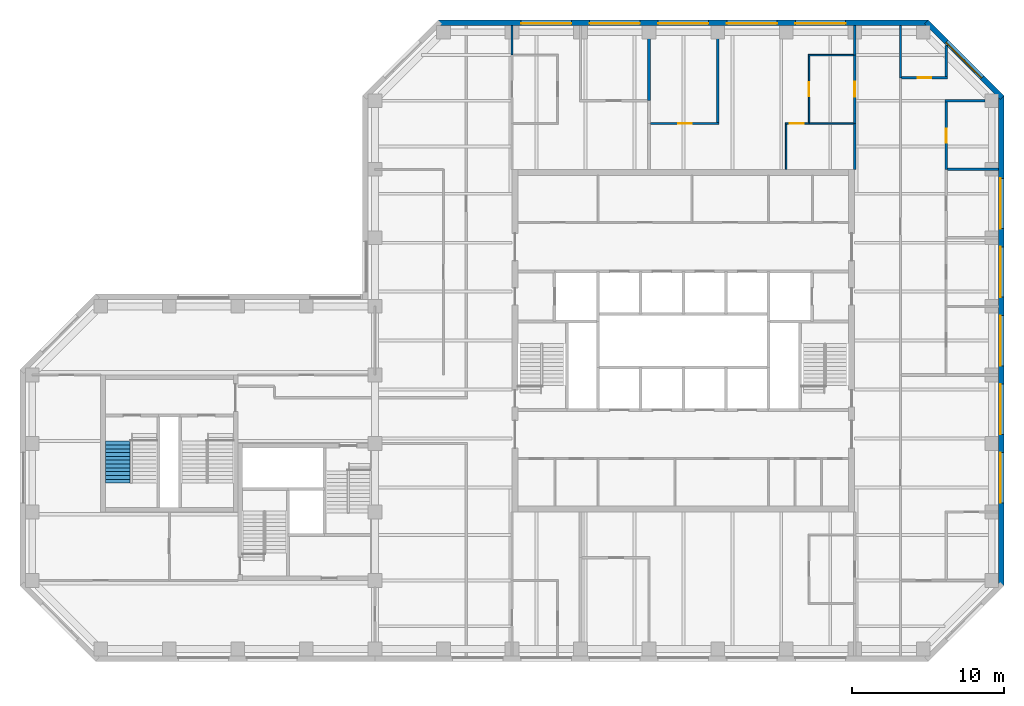
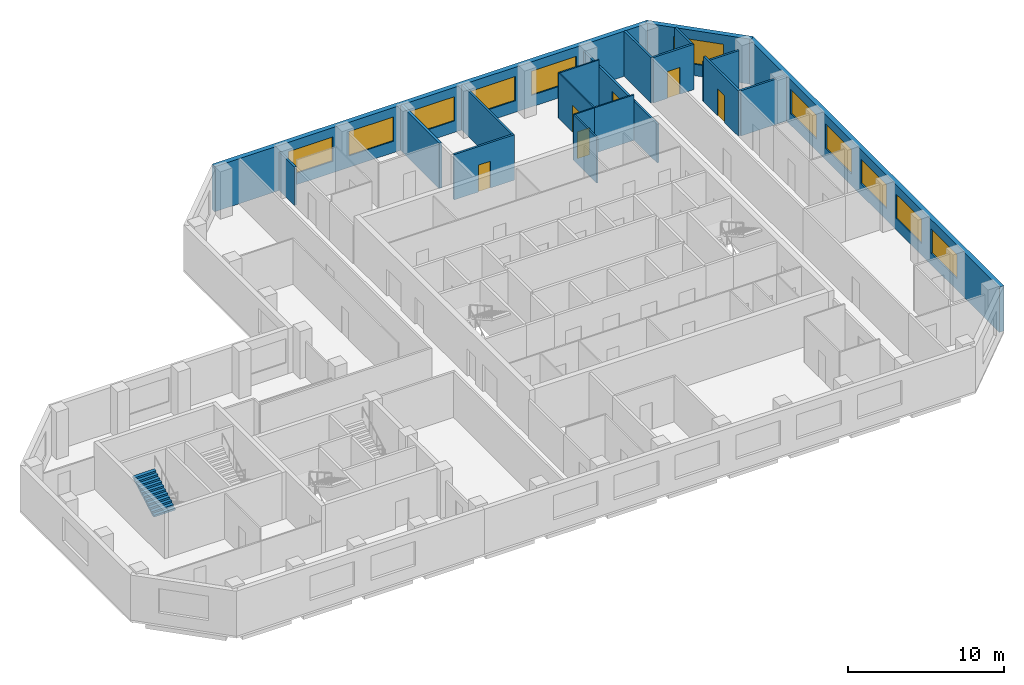
# One storey, part 7 of 9: 21 walls, 11 windows, 6 doors, 1 stair flight, 17 openings, 1 element without a shape of its own.
"""IFC4 building model written with IfcOpenShell, lengths in metres."""

from ifc_helpers import new_model, si_unit, direction, frame, frame_2d, origin, place, context, subcontext, project, spatial, polyline, rectangle, outline, extrude, material, layer, layer_set, constituent, constituent_set, type_object, element, fill, aggregate, save


model = new_model("IFC4")

# Units and contexts
model_context = context("Model", 3, precision=1e-05, world=origin(), true_north=direction((0.0, 1.0)))
body_context = subcontext(model_context, "Body", "Model", "MODEL_VIEW")
ifc_project = project(units=[si_unit("LENGTHUNIT", "METRE"), si_unit("AREAUNIT", "SQUARE_METRE"), si_unit("VOLUMEUNIT", "CUBIC_METRE"), si_unit("PLANEANGLEUNIT", "RADIAN"), si_unit("MASSUNIT", "GRAM", prefix="KILO")], contexts=[model_context])

# Site, building, storey
site_placement = place(None, origin())
site = spatial("IfcSite", under=ifc_project, at=site_placement, CompositionType="ELEMENT")
building_placement = place(site_placement, origin())
building = spatial("IfcBuilding", under=site, at=building_placement, Name="Quoin Convention Tower", CompositionType="ELEMENT")
storey_placement = place(building_placement, frame((0.0, 0.0, 223.0)))
storey = spatial("IfcBuildingStorey", under=building, at=storey_placement, Name="L58", CompositionType="ELEMENT", Elevation=223.0)

# Wall
ifc_material_1 = material(Name="Plasterboard")
ifc_layer_1 = layer(ifc_material_1, 0.012451171875, Name="Finish")
ifc_material_2 = material(Name="Steel stud framing", Category="steel")
ifc_layer_2 = layer(ifc_material_2, 0.125, Name="Structure")
ifc_layer_3 = layer(ifc_material_1, 0.012451171875, Name="Finish")
ifc_layer_set_1 = layer_set([ifc_layer_1, ifc_layer_2, ifc_layer_3], Name="Steel stud framing")
wall_type_1 = type_object("IfcWallType", Name="Acoustic partition 150", PredefinedType="PARTITIONING", material=ifc_layer_set_1)
wall_1_placement = place(storey_placement, frame((73.574951171875, 72.0, 0.0), z_axis=(0.0, 0.0, 1.0), x_axis=(1.0, 0.0, 0.0)))
element("IfcWall", 1, at=wall_1_placement, inside=storey, type_object=wall_type_1, Name="pw-L58-023", PredefinedType="PARTITIONING", context=body_context, shape_type="SweptSolid", body=[
    extrude(rectangle(XDim=3.375, YDim=0.14990234375, at=frame_2d((1.6875, 0.0))), origin(), (0.0, 0.0, 1.0), 3.550048828125),
])

# Wall, opening, door
wall_2_placement = place(storey_placement, frame((54.10009765625, 75.0, 0.0), z_axis=(0.0, 0.0, 1.0), x_axis=(1.0, 0.0, 0.0)))
wall_2 = element("IfcWall", 2, at=wall_2_placement, inside=storey, type_object=wall_type_1, Name="pw-L58-025", PredefinedType="PARTITIONING", context=body_context, shape_type="SweptSolid", body=[
    extrude(rectangle(XDim=4.474853515625, YDim=0.14990234375, at=frame_2d((2.2373046875, 0.0))), origin(), (0.0, 0.0, 1.0), 3.550048828125),
])
opening_1_placement = place(wall_2_placement, frame((1.800048828125, 0.0, 0.0)))
opening_1 = element("IfcOpeningElement", 3, at=opening_1_placement, cuts=wall_2, Name="Opening DOH10-04", PredefinedType="OPENING", context=body_context, shape_type="SweptSolid", body=[
    extrude(rectangle(XDim=0.89990234375, YDim=2.10009765625, at=frame_2d((0.449951171875, 1.050048828125))), frame((0.0, 0.0849609375, 0.0), z_axis=(0.0, -1.0, 0.0), x_axis=(1.0, 0.0, 0.0)), (0.0, 0.0, 1.0), 0.169921875),
])
ifc_material_3 = material(Name="Steel door leaf", Category="steel")
door_type_1 = type_object("IfcDoorType", Name="Office door 900 x 2100", OperationType="SINGLE_SWING_RIGHT", PredefinedType="DOOR", material=ifc_material_3)
door_1_placement = place(opening_1_placement, frame((0.89990234375, 0.0, 0.0), z_axis=(0.0, 0.0, 1.0), x_axis=(-1.0, 0.0, 0.0)))
door_1 = element("IfcDoor", 4, at=door_1_placement, inside=storey, type_object=door_type_1, Name="dr-L58-20", OperationType="SINGLE_SWING_LEFT", OverallHeight=2.10009765625, OverallWidth=0.89990234375, PredefinedType="DOOR", context=body_context, shape_type="SweptSolid", body=[
    extrude(rectangle(XDim=0.89990234375, YDim=2.10009765625, at=frame_2d((0.449951171875, 1.050048828125))), frame((0.0, 0.02490234375, 0.0), z_axis=(0.0, -1.0, 0.0), x_axis=(1.0, 0.0, 0.0)), (0.0, 0.0, 1.0), 0.050048828125),
])
fill(opening_1, door_1)

wall_3_placement = place(storey_placement, frame((73.5, 72.0, 0.0), z_axis=(0.0, 0.0, 1.0), x_axis=(0.0, 1.0, 0.0)))
wall_3 = element("IfcWall", 5, at=wall_3_placement, inside=storey, type_object=wall_type_1, Name="pw-L58-070", PredefinedType="PARTITIONING", context=body_context, shape_type="SweptSolid", body=[
    extrude(rectangle(XDim=4.425048828125, YDim=0.14990234375, at=frame_2d((2.21240234375, 0.0))), origin(), (0.0, 0.0, 1.0), 3.550048828125),
])
opening_2_placement = place(wall_3_placement, frame((1.75, 0.0, 0.0)))
opening_2 = element("IfcOpeningElement", 6, at=opening_2_placement, cuts=wall_3, Name="Opening DOH10-19", PredefinedType="OPENING", context=body_context, shape_type="SweptSolid", body=[
    extrude(rectangle(XDim=0.89990234375, YDim=2.10009765625, at=frame_2d((0.449951171875, 1.050048828125))), frame((0.0, 0.0849609375, 0.0), z_axis=(0.0, -1.0, 0.0), x_axis=(1.0, 0.0, 0.0)), (0.0, 0.0, 1.0), 0.169921875),
])
door_2_placement = place(opening_2_placement, origin())
door_2 = element("IfcDoor", 7, at=door_2_placement, inside=storey, type_object=door_type_1, Name="dr-L58-30", OperationType="SINGLE_SWING_RIGHT", OverallHeight=2.10009765625, OverallWidth=0.89990234375, PredefinedType="DOOR", context=body_context, shape_type="SweptSolid", body=[
    extrude(rectangle(XDim=0.89990234375, YDim=2.10009765625, at=frame_2d((0.449951171875, 1.050048828125))), frame((0.0, 0.02490234375, 0.0), z_axis=(0.0, -1.0, 0.0), x_axis=(1.0, 0.0, 0.0)), (0.0, 0.0, 1.0), 0.050048828125),
])
fill(opening_2, door_2)

# Walls
wall_4_placement = place(storey_placement, frame((58.5, 75.074951171875, 0.0), z_axis=(0.0, 0.0, 1.0), x_axis=(0.0, 1.0, 0.0)))
element("IfcWall", 8, at=wall_4_placement, inside=storey, type_object=wall_type_1, Name="pw-L58-076", PredefinedType="PARTITIONING", context=body_context, shape_type="SweptSolid", body=[
    extrude(rectangle(XDim=6.375, YDim=0.14990234375, at=frame_2d((3.1875, 0.0))), origin(), (0.0, 0.0, 1.0), 3.550048828125),
])
ifc_layer_4 = layer(ifc_material_1, 0.012451171875, Name="Finish")
ifc_layer_5 = layer(ifc_material_2, 0.125, Name="Structure")
ifc_layer_6 = layer(ifc_material_1, 0.012451171875, Name="Finish")
ifc_layer_set_2 = layer_set([ifc_layer_4, ifc_layer_5, ifc_layer_6], Name="Steel stud framing")
wall_type_2 = type_object("IfcWallType", Name="Acoustic partition 150 under beam 454", PredefinedType="PARTITIONING", material=ifc_layer_set_2)
wall_5_placement = place(storey_placement, frame((73.425048828125, 76.5, 0.0), z_axis=(0.0, 0.0, 1.0), x_axis=(1.0, 0.0, 0.0)))
element("IfcWall", 9, at=wall_5_placement, inside=storey, type_object=wall_type_2, Name="pw-L58-029", PredefinedType="PARTITIONING", context=body_context, shape_type="SweptSolid", body=[
    extrude(rectangle(XDim=2.625, YDim=0.14990234375, at=frame_2d((1.3125, 0.0))), origin(), (0.0, 0.0, 1.0), 3.095947265625),
])

# Wall, openings, windows
ifc_material_4 = material(Name="Brick masonry", Category="masonry")
ifc_layer_7 = layer(ifc_material_4, 0.35009765625)
ifc_layer_set_3 = layer_set([ifc_layer_7], Name="Brick masonry")
wall_type_3 = type_object("IfcWallType", Name="Brick facade wall", PredefinedType="STANDARD", material=ifc_layer_set_3)
wall_6_placement = place(storey_placement, frame((77.125, 44.668701171875, 0.0), z_axis=(0.0, 0.0, 1.0), x_axis=(0.0, 1.0, 0.0)))
wall_6 = element("IfcWall", 10, at=wall_6_placement, inside=storey, type_object=wall_type_3, Name="fw-L58-76500_45000", PredefinedType="STANDARD", context=body_context, shape_type="SweptSolid", body=[
    extrude(rectangle(XDim=32.16259765625, YDim=0.35009765625, at=frame_2d((16.081298828125, 0.0))), origin(), (0.0, 0.0, 1.0), 3.52490234375),
])
opening_3_placement = place(wall_6_placement, frame((5.431396484375, 0.0, 0.89990234375)))
opening_3 = element("IfcOpeningElement", 11, at=opening_3_placement, cuts=wall_6, Name="Opening W-02", PredefinedType="OPENING", context=body_context, shape_type="SweptSolid", body=[
    extrude(rectangle(XDim=3.300048828125, YDim=1.89990234375, at=frame_2d((1.64990234375, 0.949951171875))), frame((0.0, 0.18505859375, 0.0), z_axis=(0.0, -1.0, 0.0), x_axis=(1.0, 0.0, 0.0)), (0.0, 0.0, 1.0), 0.3701171875),
])
opening_4_placement = place(wall_6_placement, frame((9.931396484375, 0.0, 0.89990234375)))
opening_4 = element("IfcOpeningElement", 12, at=opening_4_placement, cuts=wall_6, Name="Opening W-02", PredefinedType="OPENING", context=body_context, shape_type="SweptSolid", body=[
    extrude(rectangle(XDim=3.300048828125, YDim=1.89990234375, at=frame_2d((1.64990234375, 0.949951171875))), frame((0.0, 0.18505859375, 0.0), z_axis=(0.0, -1.0, 0.0), x_axis=(1.0, 0.0, 0.0)), (0.0, 0.0, 1.0), 0.3701171875),
])
opening_5_placement = place(wall_6_placement, frame((14.431396484375, 0.0, 0.89990234375)))
opening_5 = element("IfcOpeningElement", 13, at=opening_5_placement, cuts=wall_6, Name="Opening W-02", PredefinedType="OPENING", context=body_context, shape_type="SweptSolid", body=[
    extrude(rectangle(XDim=3.300048828125, YDim=1.89990234375, at=frame_2d((1.64990234375, 0.949951171875))), frame((0.0, 0.18505859375, 0.0), z_axis=(0.0, -1.0, 0.0), x_axis=(1.0, 0.0, 0.0)), (0.0, 0.0, 1.0), 0.3701171875),
])
opening_6_placement = place(wall_6_placement, frame((18.931396484375, 0.0, 0.89990234375)))
opening_6 = element("IfcOpeningElement", 14, at=opening_6_placement, cuts=wall_6, Name="Opening W-02", PredefinedType="OPENING", context=body_context, shape_type="SweptSolid", body=[
    extrude(rectangle(XDim=3.300048828125, YDim=1.89990234375, at=frame_2d((1.64990234375, 0.949951171875))), frame((0.0, 0.18505859375, 0.0), z_axis=(0.0, -1.0, 0.0), x_axis=(1.0, 0.0, 0.0)), (0.0, 0.0, 1.0), 0.3701171875),
])
opening_7_placement = place(wall_6_placement, frame((23.431396484375, 0.0, 0.89990234375)))
opening_7 = element("IfcOpeningElement", 15, at=opening_7_placement, cuts=wall_6, Name="Opening W-02", PredefinedType="OPENING", context=body_context, shape_type="SweptSolid", body=[
    extrude(rectangle(XDim=3.300048828125, YDim=1.89990234375, at=frame_2d((1.64990234375, 0.949951171875))), frame((0.0, 0.18505859375, 0.0), z_axis=(0.0, -1.0, 0.0), x_axis=(1.0, 0.0, 0.0)), (0.0, 0.0, 1.0), 0.3701171875),
])
ifc_material_5 = material(Name="Aluminium", Category="aluminium")
ifc_constituent_1 = constituent(ifc_material_5, Name="Frame")
ifc_material_6 = material(Name="Insulated glass", Category="glass")
ifc_constituent_2 = constituent(ifc_material_6, Name="Glazing")
ifc_constituent_set = constituent_set(constituents=[ifc_constituent_1, ifc_constituent_2], Name="Aluminium")
window_type = type_object("IfcWindowType", Name="Office window", PartitioningType="DOUBLE_PANEL_VERTICAL", PredefinedType="WINDOW", material=ifc_constituent_set)
window_1_placement = place(opening_3_placement, origin())
window_1 = element("IfcWindow", 16, at=window_1_placement, inside=storey, type_object=window_type, Name="win-L58-77125_51750", OverallHeight=1.89990234375, OverallWidth=3.300048828125, PartitioningType="SINGLE_PANEL", PredefinedType="WINDOW", context=body_context, shape_type="SweptSolid", body=[
    extrude(rectangle(XDim=3.300048828125, YDim=1.89990234375, at=frame_2d((1.64990234375, 0.949951171875))), frame((0.0, 0.0849609375, 0.0), z_axis=(0.0, -1.0, 0.0), x_axis=(1.0, 0.0, 0.0)), (0.0, 0.0, 1.0), 0.06005859375),
])
fill(opening_3, window_1)
window_2_placement = place(opening_4_placement, origin())
window_2 = element("IfcWindow", 17, at=window_2_placement, inside=storey, type_object=window_type, Name="win-L58-77125_56250", OverallHeight=1.89990234375, OverallWidth=3.300048828125, PartitioningType="SINGLE_PANEL", PredefinedType="WINDOW", context=body_context, shape_type="SweptSolid", body=[
    extrude(rectangle(XDim=3.300048828125, YDim=1.89990234375, at=frame_2d((1.64990234375, 0.949951171875))), frame((0.0, 0.0849609375, 0.0), z_axis=(0.0, -1.0, 0.0), x_axis=(1.0, 0.0, 0.0)), (0.0, 0.0, 1.0), 0.06005859375),
])
fill(opening_4, window_2)
window_3_placement = place(opening_5_placement, origin())
window_3 = element("IfcWindow", 18, at=window_3_placement, inside=storey, type_object=window_type, Name="win-L58-77125_60750", OverallHeight=1.89990234375, OverallWidth=3.300048828125, PartitioningType="SINGLE_PANEL", PredefinedType="WINDOW", context=body_context, shape_type="SweptSolid", body=[
    extrude(rectangle(XDim=3.300048828125, YDim=1.89990234375, at=frame_2d((1.64990234375, 0.949951171875))), frame((0.0, 0.0849609375, 0.0), z_axis=(0.0, -1.0, 0.0), x_axis=(1.0, 0.0, 0.0)), (0.0, 0.0, 1.0), 0.06005859375),
])
fill(opening_5, window_3)
window_4_placement = place(opening_6_placement, origin())
window_4 = element("IfcWindow", 19, at=window_4_placement, inside=storey, type_object=window_type, Name="win-L58-77125_65250", OverallHeight=1.89990234375, OverallWidth=3.300048828125, PartitioningType="SINGLE_PANEL", PredefinedType="WINDOW", context=body_context, shape_type="SweptSolid", body=[
    extrude(rectangle(XDim=3.300048828125, YDim=1.89990234375, at=frame_2d((1.64990234375, 0.949951171875))), frame((0.0, 0.0849609375, 0.0), z_axis=(0.0, -1.0, 0.0), x_axis=(1.0, 0.0, 0.0)), (0.0, 0.0, 1.0), 0.06005859375),
])
fill(opening_6, window_4)
window_5_placement = place(opening_7_placement, origin())
window_5 = element("IfcWindow", 20, at=window_5_placement, inside=storey, type_object=window_type, Name="win-L58-77125_69750", OverallHeight=1.89990234375, OverallWidth=3.300048828125, PartitioningType="SINGLE_PANEL", PredefinedType="WINDOW", context=body_context, shape_type="SweptSolid", body=[
    extrude(rectangle(XDim=3.300048828125, YDim=1.89990234375, at=frame_2d((1.64990234375, 0.949951171875))), frame((0.0, 0.0849609375, 0.0), z_axis=(0.0, -1.0, 0.0), x_axis=(1.0, 0.0, 0.0)), (0.0, 0.0, 1.0), 0.06005859375),
])
fill(opening_7, window_5)

# Wall, opening, window
wall_7_placement = place(storey_placement, frame((77.17626953125, 76.70751953125, 0.0), z_axis=(0.0, 0.0, 1.0), x_axis=(-0.707106781187, 0.707106781187, 0.0)))
wall_7 = element("IfcWall", 21, at=wall_7_placement, inside=storey, type_object=wall_type_3, Name="fw-L58-76500_76500", PredefinedType="STANDARD", context=body_context, shape_type="SweptSolid", body=[
    extrude(rectangle(XDim=7.02685546875, YDim=0.35009765625, at=frame_2d((3.513427734375, 0.0))), origin(), (0.0, 0.0, 1.0), 3.52490234375),
])
opening_8_placement = place(wall_7_placement, frame((1.86328125, 0.0, 0.89990234375)))
opening_8 = element("IfcOpeningElement", 22, at=opening_8_placement, cuts=wall_7, Name="Opening W-02", PredefinedType="OPENING", context=body_context, shape_type="SweptSolid", body=[
    extrude(rectangle(XDim=3.300048828125, YDim=1.89990234375, at=frame_2d((1.64990234375, 0.949951171875))), frame((0.0, 0.18505859375, 0.0), z_axis=(0.0, -1.0, 0.0), x_axis=(1.0, 0.0, 0.0)), (0.0, 0.0, 1.0), 0.3701171875),
])
window_6_placement = place(opening_8_placement, origin())
window_6 = element("IfcWindow", 23, at=window_6_placement, inside=storey, type_object=window_type, Name="win-L58-74692_79192", OverallHeight=1.89990234375, OverallWidth=3.300048828125, PartitioningType="SINGLE_PANEL", PredefinedType="WINDOW", context=body_context, shape_type="SweptSolid", body=[
    extrude(rectangle(XDim=3.300048828125, YDim=1.89990234375, at=frame_2d((1.64990234375, 0.949951171875))), frame((0.0, 0.0849609375, 0.0), z_axis=(0.0, -1.0, 0.0), x_axis=(1.0, 0.0, 0.0)), (0.0, 0.0, 1.0), 0.06005859375),
])
fill(opening_8, window_6)

# Wall, openings, windows
wall_8_placement = place(storey_placement, frame((72.331298828125, 81.625, 0.0), z_axis=(0.0, 0.0, 1.0), x_axis=(-1.0, 0.0, 0.0)))
wall_8 = element("IfcWall", 24, at=wall_8_placement, inside=storey, type_object=wall_type_3, Name="fw-L58-72000_81000", PredefinedType="STANDARD", context=body_context, shape_type="SweptSolid", body=[
    extrude(rectangle(XDim=32.16259765625, YDim=0.35009765625, at=frame_2d((16.081298828125, 0.0))), origin(), (0.0, 0.0, 1.0), 3.52490234375),
])
opening_9_placement = place(wall_8_placement, frame((5.431396484375, 0.0, 0.89990234375)))
opening_9 = element("IfcOpeningElement", 25, at=opening_9_placement, cuts=wall_8, Name="Opening W-02", PredefinedType="OPENING", context=body_context, shape_type="SweptSolid", body=[
    extrude(rectangle(XDim=3.300048828125, YDim=1.89990234375, at=frame_2d((1.64990234375, 0.949951171875))), frame((0.0, 0.18505859375, 0.0), z_axis=(0.0, -1.0, 0.0), x_axis=(1.0, 0.0, 0.0)), (0.0, 0.0, 1.0), 0.3701171875),
])
opening_10_placement = place(wall_8_placement, frame((9.931396484375, 0.0, 0.89990234375)))
opening_10 = element("IfcOpeningElement", 26, at=opening_10_placement, cuts=wall_8, Name="Opening W-02", PredefinedType="OPENING", context=body_context, shape_type="SweptSolid", body=[
    extrude(rectangle(XDim=3.300048828125, YDim=1.89990234375, at=frame_2d((1.64990234375, 0.949951171875))), frame((0.0, 0.18505859375, 0.0), z_axis=(0.0, -1.0, 0.0), x_axis=(1.0, 0.0, 0.0)), (0.0, 0.0, 1.0), 0.3701171875),
])
opening_11_placement = place(wall_8_placement, frame((14.431396484375, 0.0, 0.89990234375)))
opening_11 = element("IfcOpeningElement", 27, at=opening_11_placement, cuts=wall_8, Name="Opening W-02", PredefinedType="OPENING", context=body_context, shape_type="SweptSolid", body=[
    extrude(rectangle(XDim=3.300048828125, YDim=1.89990234375, at=frame_2d((1.64990234375, 0.949951171875))), frame((0.0, 0.18505859375, 0.0), z_axis=(0.0, -1.0, 0.0), x_axis=(1.0, 0.0, 0.0)), (0.0, 0.0, 1.0), 0.3701171875),
])
opening_12_placement = place(wall_8_placement, frame((18.931396484375, 0.0, 0.89990234375)))
opening_12 = element("IfcOpeningElement", 28, at=opening_12_placement, cuts=wall_8, Name="Opening W-02", PredefinedType="OPENING", context=body_context, shape_type="SweptSolid", body=[
    extrude(rectangle(XDim=3.300048828125, YDim=1.89990234375, at=frame_2d((1.64990234375, 0.949951171875))), frame((0.0, 0.18505859375, 0.0), z_axis=(0.0, -1.0, 0.0), x_axis=(1.0, 0.0, 0.0)), (0.0, 0.0, 1.0), 0.3701171875),
])
opening_13_placement = place(wall_8_placement, frame((23.431396484375, 0.0, 0.89990234375)))
opening_13 = element("IfcOpeningElement", 29, at=opening_13_placement, cuts=wall_8, Name="Opening W-02", PredefinedType="OPENING", context=body_context, shape_type="SweptSolid", body=[
    extrude(rectangle(XDim=3.300048828125, YDim=1.89990234375, at=frame_2d((1.64990234375, 0.949951171875))), frame((0.0, 0.18505859375, 0.0), z_axis=(0.0, -1.0, 0.0), x_axis=(1.0, 0.0, 0.0)), (0.0, 0.0, 1.0), 0.3701171875),
])
window_7_placement = place(opening_9_placement, origin())
window_7 = element("IfcWindow", 30, at=window_7_placement, inside=storey, type_object=window_type, Name="win-L58-65250_81625", OverallHeight=1.89990234375, OverallWidth=3.300048828125, PartitioningType="SINGLE_PANEL", PredefinedType="WINDOW", context=body_context, shape_type="SweptSolid", body=[
    extrude(rectangle(XDim=3.300048828125, YDim=1.89990234375, at=frame_2d((1.64990234375, 0.949951171875))), frame((0.0, 0.0849609375, 0.0), z_axis=(0.0, -1.0, 0.0), x_axis=(1.0, 0.0, 0.0)), (0.0, 0.0, 1.0), 0.06005859375),
])
fill(opening_9, window_7)
window_8_placement = place(opening_10_placement, origin())
window_8 = element("IfcWindow", 31, at=window_8_placement, inside=storey, type_object=window_type, Name="win-L58-60750_81625", OverallHeight=1.89990234375, OverallWidth=3.300048828125, PartitioningType="SINGLE_PANEL", PredefinedType="WINDOW", context=body_context, shape_type="SweptSolid", body=[
    extrude(rectangle(XDim=3.300048828125, YDim=1.89990234375, at=frame_2d((1.64990234375, 0.949951171875))), frame((0.0, 0.0849609375, 0.0), z_axis=(0.0, -1.0, 0.0), x_axis=(1.0, 0.0, 0.0)), (0.0, 0.0, 1.0), 0.06005859375),
])
fill(opening_10, window_8)
window_9_placement = place(opening_11_placement, origin())
window_9 = element("IfcWindow", 32, at=window_9_placement, inside=storey, type_object=window_type, Name="win-L58-56250_81625", OverallHeight=1.89990234375, OverallWidth=3.300048828125, PartitioningType="SINGLE_PANEL", PredefinedType="WINDOW", context=body_context, shape_type="SweptSolid", body=[
    extrude(rectangle(XDim=3.300048828125, YDim=1.89990234375, at=frame_2d((1.64990234375, 0.949951171875))), frame((0.0, 0.0849609375, 0.0), z_axis=(0.0, -1.0, 0.0), x_axis=(1.0, 0.0, 0.0)), (0.0, 0.0, 1.0), 0.06005859375),
])
fill(opening_11, window_9)
window_10_placement = place(opening_12_placement, origin())
window_10 = element("IfcWindow", 33, at=window_10_placement, inside=storey, type_object=window_type, Name="win-L58-51750_81625", OverallHeight=1.89990234375, OverallWidth=3.300048828125, PartitioningType="SINGLE_PANEL", PredefinedType="WINDOW", context=body_context, shape_type="SweptSolid", body=[
    extrude(rectangle(XDim=3.300048828125, YDim=1.89990234375, at=frame_2d((1.64990234375, 0.949951171875))), frame((0.0, 0.0849609375, 0.0), z_axis=(0.0, -1.0, 0.0), x_axis=(1.0, 0.0, 0.0)), (0.0, 0.0, 1.0), 0.06005859375),
])
fill(opening_12, window_10)
window_11_placement = place(opening_13_placement, origin())
window_11 = element("IfcWindow", 34, at=window_11_placement, inside=storey, type_object=window_type, Name="win-L58-47250_81625", OverallHeight=1.89990234375, OverallWidth=3.300048828125, PartitioningType="SINGLE_PANEL", PredefinedType="WINDOW", context=body_context, shape_type="SweptSolid", body=[
    extrude(rectangle(XDim=3.300048828125, YDim=1.89990234375, at=frame_2d((1.64990234375, 0.949951171875))), frame((0.0, 0.0849609375, 0.0), z_axis=(0.0, -1.0, 0.0), x_axis=(1.0, 0.0, 0.0)), (0.0, 0.0, 1.0), 0.06005859375),
])
fill(opening_13, window_11)

# Walls
ifc_layer_8 = layer(ifc_material_1, 0.012451171875, Name="Finish")
ifc_layer_9 = layer(ifc_material_2, 0.125, Name="Structure")
ifc_layer_10 = layer(ifc_material_1, 0.012451171875, Name="Finish")
ifc_layer_set_4 = layer_set([ifc_layer_8, ifc_layer_9, ifc_layer_10], Name="Steel stud framing")
wall_type_4 = type_object("IfcWallType", Name="Corridor wall 150", PredefinedType="PARTITIONING", material=ifc_layer_set_4)
wall_9_placement = place(storey_placement, frame((70.5, 78.0, 0.0), z_axis=(0.0, 0.0, 1.0), x_axis=(0.0, 1.0, 0.0)))
element("IfcWall", 35, at=wall_9_placement, inside=storey, type_object=wall_type_4, Name="pw-L58-079", PredefinedType="PARTITIONING", context=body_context, shape_type="SweptSolid", body=[
    extrude(rectangle(XDim=3.449951171875, YDim=0.14990234375, at=frame_2d((1.72509765625, 0.0))), origin(), (0.0, 0.0, 1.0), 3.550048828125),
])
ifc_layer_11 = layer(ifc_material_1, 0.012451171875, Name="Finish")
ifc_layer_12 = layer(ifc_material_2, 0.125, Name="Structure")
ifc_layer_13 = layer(ifc_material_1, 0.012451171875, Name="Finish")
ifc_layer_set_5 = layer_set([ifc_layer_11, ifc_layer_12, ifc_layer_13], Name="Steel stud framing")
wall_type_5 = type_object("IfcWallType", Name="Corridor wall 150 under beam 528", PredefinedType="PARTITIONING", material=ifc_layer_set_5)
wall_10_placement = place(storey_placement, frame((67.5, 72.0, 0.0), z_axis=(0.0, 0.0, 1.0), x_axis=(0.0, 1.0, 0.0)))
element("IfcWall", 36, at=wall_10_placement, inside=storey, type_object=wall_type_5, Name="pw-L58-069", PredefinedType="PARTITIONING", context=body_context, shape_type="SweptSolid", body=[
    extrude(rectangle(XDim=3.0, YDim=0.14990234375, at=frame_2d((1.5, 0.0))), origin(), (0.0, 0.0, 1.0), 3.02197265625),
])

# Wall, opening, door
wall_11_placement = place(storey_placement, frame((67.5, 75.0, 0.0), z_axis=(0.0, 0.0, 1.0), x_axis=(0.0, 1.0, 0.0)))
wall_11 = element("IfcWall", 37, at=wall_11_placement, inside=storey, type_object=wall_type_5, Name="pw-L58-073", PredefinedType="PARTITIONING", context=body_context, shape_type="SweptSolid", body=[
    extrude(rectangle(XDim=4.5, YDim=0.14990234375, at=frame_2d((2.25, 0.0))), origin(), (0.0, 0.0, 1.0), 3.02197265625),
])
opening_14_placement = place(wall_11_placement, frame((1.75, 0.0, 0.0)))
opening_14 = element("IfcOpeningElement", 38, at=opening_14_placement, cuts=wall_11, Name="Opening DOH10-21", PredefinedType="OPENING", context=body_context, shape_type="SweptSolid", body=[
    extrude(rectangle(XDim=1.0, YDim=2.10009765625, at=frame_2d((0.5, 1.050048828125))), frame((0.0, 0.0849609375, 0.0), z_axis=(0.0, -1.0, 0.0), x_axis=(1.0, 0.0, 0.0)), (0.0, 0.0, 1.0), 0.169921875),
])
door_type_2 = type_object("IfcDoorType", Name="Tenancy entrance door 1000 x 2100", OperationType="DOUBLE_DOOR_SINGLE_SWING", PredefinedType="DOOR", material=ifc_material_3)
door_3_placement = place(opening_14_placement, frame((1.0, 0.0, 0.0), z_axis=(0.0, 0.0, 1.0), x_axis=(-1.0, 0.0, 0.0)))
door_3 = element("IfcDoor", 39, at=door_3_placement, inside=storey, type_object=door_type_2, Name="dr-L58-18", OperationType="DOUBLE_DOOR_SINGLE_SWING", OverallHeight=2.10009765625, OverallWidth=1.0, PredefinedType="DOOR", context=body_context, shape_type="SweptSolid", body=[
    extrude(rectangle(XDim=1.0, YDim=2.10009765625, at=frame_2d((0.5, 1.050048828125))), frame((0.0, 0.02490234375, 0.0), z_axis=(0.0, -1.0, 0.0), x_axis=(1.0, 0.0, 0.0)), (0.0, 0.0, 1.0), 0.050048828125),
])
fill(opening_14, door_3)

# Walls
for number, where, z_axis, x_axis, name in (
    (40, (45.0, 79.5, 0.0), (0.0, 0.0, 1.0), (0.0, 1.0, 0.0), "pw-L58-081"),
    (41, (67.5, 79.5, 0.0), (0.0, 0.0, 1.0), (0.0, 1.0, 0.0), "pw-L58-082"),
):
    element("IfcWall", number, at=place(storey_placement, frame(where, z_axis=z_axis, x_axis=x_axis)), inside=storey, type_object=wall_type_5, Name=name, PredefinedType="PARTITIONING", context=body_context, shape_type="SweptSolid", body=[
        extrude(rectangle(XDim=1.949951171875, YDim=0.14990234375, at=frame_2d((0.97509765625, 0.0))), origin(), (0.0, 0.0, 1.0), 3.02197265625),
    ])

# Wall, opening, door
ifc_layer_14 = layer(ifc_material_1, 0.012451171875, Name="Finish")
ifc_layer_15 = layer(ifc_material_2, 0.074951171875, Name="Structure")
ifc_layer_16 = layer(ifc_material_1, 0.012451171875, Name="Finish")
ifc_layer_set_6 = layer_set([ifc_layer_14, ifc_layer_15, ifc_layer_16], Name="Steel stud framing")
wall_type_6 = type_object("IfcWallType", Name="Stud partition 100", PredefinedType="PARTITIONING", material=ifc_layer_set_6)
wall_12_placement = place(storey_placement, frame((62.949951171875, 75.0, 0.0), z_axis=(0.0, 0.0, 1.0), x_axis=(1.0, 0.0, 0.0)))
wall_12 = element("IfcWall", 42, at=wall_12_placement, inside=storey, type_object=wall_type_6, Name="pw-L58-026", PredefinedType="PARTITIONING", context=body_context, shape_type="SweptSolid", body=[
    extrude(rectangle(XDim=1.550048828125, YDim=0.10009765625, at=frame_2d((0.77490234375, 0.0))), origin(), (0.0, 0.0, 1.0), 3.550048828125),
])
opening_15_placement = place(wall_12_placement, frame((0.300048828125, 0.0, 0.0)))
opening_15 = element("IfcOpeningElement", 43, at=opening_15_placement, cuts=wall_12, Name="Opening DOH10-05", PredefinedType="OPENING", context=body_context, shape_type="SweptSolid", body=[
    extrude(rectangle(XDim=0.89990234375, YDim=2.10009765625, at=frame_2d((0.449951171875, 1.050048828125))), frame((0.0, 0.06005859375, 0.0), z_axis=(0.0, -1.0, 0.0), x_axis=(1.0, 0.0, 0.0)), (0.0, 0.0, 1.0), 0.1201171875),
])
door_4_placement = place(opening_15_placement, origin())
door_4 = element("IfcDoor", 44, at=door_4_placement, inside=storey, type_object=door_type_1, Name="dr-L58-21", OperationType="SINGLE_SWING_RIGHT", OverallHeight=2.10009765625, OverallWidth=0.89990234375, PredefinedType="DOOR", context=body_context, shape_type="SweptSolid", body=[
    extrude(rectangle(XDim=0.89990234375, YDim=2.10009765625, at=frame_2d((0.449951171875, 1.050048828125))), frame((0.0, 0.02490234375, 0.0), z_axis=(0.0, -1.0, 0.0), x_axis=(1.0, 0.0, 0.0)), (0.0, 0.0, 1.0), 0.050048828125),
])
fill(opening_15, door_4)

# Walls
wall_13_placement = place(storey_placement, frame((64.5, 75.0, 0.0), z_axis=(0.0, 0.0, 1.0), x_axis=(1.0, 0.0, 0.0)))
element("IfcWall", 45, at=wall_13_placement, inside=storey, type_object=wall_type_6, Name="pw-L58-027", PredefinedType="PARTITIONING", context=body_context, shape_type="SweptSolid", body=[
    extrude(rectangle(XDim=2.925048828125, YDim=0.10009765625, at=frame_2d((1.46240234375, 0.0))), origin(), (0.0, 0.0, 1.0), 3.550048828125),
])
wall_14_placement = place(storey_placement, frame((64.449951171875, 79.5, 0.0), z_axis=(0.0, 0.0, 1.0), x_axis=(1.0, 0.0, 0.0)))
element("IfcWall", 46, at=wall_14_placement, inside=storey, type_object=wall_type_6, Name="pw-L58-032", PredefinedType="PARTITIONING", context=body_context, shape_type="SweptSolid", body=[
    extrude(rectangle(XDim=2.97509765625, YDim=0.10009765625, at=frame_2d((1.487548828125, 0.0))), origin(), (0.0, 0.0, 1.0), 3.550048828125),
])
wall_15_placement = place(storey_placement, frame((63.0, 72.0, 0.0), z_axis=(0.0, 0.0, 1.0), x_axis=(0.0, 1.0, 0.0)))
element("IfcWall", 47, at=wall_15_placement, inside=storey, type_object=wall_type_6, Name="pw-L58-068", PredefinedType="PARTITIONING", context=body_context, shape_type="SweptSolid", body=[
    extrude(rectangle(XDim=2.949951171875, YDim=0.10009765625, at=frame_2d((1.47509765625, 0.0))), origin(), (0.0, 0.0, 1.0), 3.550048828125),
])

# Wall, opening, door
wall_16_placement = place(storey_placement, frame((64.5, 75.050048828125, 0.0), z_axis=(0.0, 0.0, 1.0), x_axis=(0.0, 1.0, 0.0)))
wall_16 = element("IfcWall", 48, at=wall_16_placement, inside=storey, type_object=wall_type_6, Name="pw-L58-075", PredefinedType="PARTITIONING", context=body_context, shape_type="SweptSolid", body=[
    extrude(rectangle(XDim=4.39990234375, YDim=0.10009765625, at=frame_2d((2.199951171875, 0.0))), origin(), (0.0, 0.0, 1.0), 3.550048828125),
])
opening_16_placement = place(wall_16_placement, frame((1.75, 0.0, 0.0)))
opening_16 = element("IfcOpeningElement", 49, at=opening_16_placement, cuts=wall_16, Name="Opening DOH10-23", PredefinedType="OPENING", context=body_context, shape_type="SweptSolid", body=[
    extrude(rectangle(XDim=0.89990234375, YDim=2.10009765625, at=frame_2d((0.449951171875, 1.050048828125))), frame((0.0, 0.06005859375, 0.0), z_axis=(0.0, -1.0, 0.0), x_axis=(1.0, 0.0, 0.0)), (0.0, 0.0, 1.0), 0.1201171875),
])
door_5_placement = place(opening_16_placement, origin())
door_5 = element("IfcDoor", 50, at=door_5_placement, inside=storey, type_object=door_type_1, Name="dr-L58-19", OperationType="SINGLE_SWING_RIGHT", OverallHeight=2.10009765625, OverallWidth=0.89990234375, PredefinedType="DOOR", context=body_context, shape_type="SweptSolid", body=[
    extrude(rectangle(XDim=0.89990234375, YDim=2.10009765625, at=frame_2d((0.449951171875, 1.050048828125))), frame((0.0, 0.02490234375, 0.0), z_axis=(0.0, -1.0, 0.0), x_axis=(1.0, 0.0, 0.0)), (0.0, 0.0, 1.0), 0.050048828125),
])
fill(opening_16, door_5)

# Wall
ifc_layer_17 = layer(ifc_material_1, 0.012451171875, Name="Finish")
ifc_layer_18 = layer(ifc_material_2, 0.175048828125, Name="Structure")
ifc_layer_19 = layer(ifc_material_1, 0.012451171875, Name="Finish")
ifc_layer_set_7 = layer_set([ifc_layer_17, ifc_layer_18, ifc_layer_19], Name="Steel stud framing")
wall_type_7 = type_object("IfcWallType", Name="Tenancy demising wall 200", PredefinedType="PARTITIONING", material=ifc_layer_set_7)
wall_17_placement = place(storey_placement, frame((54.0, 76.5, 0.0), z_axis=(0.0, 0.0, 1.0), x_axis=(0.0, 1.0, 0.0)))
element("IfcWall", 51, at=wall_17_placement, inside=storey, type_object=wall_type_7, Name="pw-L58-077", PredefinedType="PARTITIONING", context=body_context, shape_type="SweptSolid", body=[
    extrude(rectangle(XDim=4.949951171875, YDim=0.199951171875, at=frame_2d((2.47509765625, 0.0))), origin(), (0.0, 0.0, 1.0), 3.550048828125),
])

# Wall, opening, door
ifc_layer_20 = layer(ifc_material_1, 0.012451171875, Name="Finish")
ifc_layer_21 = layer(ifc_material_2, 0.125, Name="Structure")
ifc_layer_22 = layer(ifc_material_1, 0.012451171875, Name="Finish")
ifc_layer_set_8 = layer_set([ifc_layer_20, ifc_layer_21, ifc_layer_22], Name="Steel stud framing")
wall_type_8 = type_object("IfcWallType", Name="Wet area partition 150", PredefinedType="PARTITIONING", material=ifc_layer_set_8)
wall_18_placement = place(storey_placement, frame((70.574951171875, 78.0, 0.0), z_axis=(0.0, 0.0, 1.0), x_axis=(1.0, 0.0, 0.0)))
wall_18 = element("IfcWall", 52, at=wall_18_placement, inside=storey, type_object=wall_type_8, Name="pw-L58-030", PredefinedType="PARTITIONING", context=body_context, shape_type="SweptSolid", body=[
    extrude(rectangle(XDim=3.0, YDim=0.14990234375, at=frame_2d((1.5, 0.0))), origin(), (0.0, 0.0, 1.0), 3.550048828125),
])
opening_17_placement = place(wall_18_placement, frame((1.050048828125, 0.0, 0.0)))
opening_17 = element("IfcOpeningElement", 53, at=opening_17_placement, cuts=wall_18, Name="Opening DOH10-07", PredefinedType="OPENING", context=body_context, shape_type="SweptSolid", body=[
    extrude(rectangle(XDim=0.89990234375, YDim=2.10009765625, at=frame_2d((0.449951171875, 1.050048828125))), frame((0.0, 0.0849609375, 0.0), z_axis=(0.0, -1.0, 0.0), x_axis=(1.0, 0.0, 0.0)), (0.0, 0.0, 1.0), 0.169921875),
])
door_6_placement = place(opening_17_placement, frame((0.89990234375, 0.0, 0.0), z_axis=(0.0, 0.0, 1.0), x_axis=(-1.0, 0.0, 0.0)))
door_6 = element("IfcDoor", 54, at=door_6_placement, inside=storey, type_object=door_type_1, Name="dr-L58-28", OperationType="SINGLE_SWING_LEFT", OverallHeight=2.10009765625, OverallWidth=0.89990234375, PredefinedType="DOOR", context=body_context, shape_type="SweptSolid", body=[
    extrude(rectangle(XDim=0.89990234375, YDim=2.10009765625, at=frame_2d((0.449951171875, 1.050048828125))), frame((0.0, 0.02490234375, 0.0), z_axis=(0.0, -1.0, 0.0), x_axis=(1.0, 0.0, 0.0)), (0.0, 0.0, 1.0), 0.050048828125),
])
fill(opening_17, door_6)

# Wall
wall_19_placement = place(storey_placement, frame((73.5, 78.074951171875, 0.0), z_axis=(0.0, 0.0, 1.0), x_axis=(0.0, 1.0, 0.0)))
element("IfcWall", 55, at=wall_19_placement, inside=storey, type_object=wall_type_8, Name="pw-L58-080", PredefinedType="PARTITIONING", context=body_context, shape_type="SweptSolid", body=[
    extrude(rectangle(XDim=2.0615234375, YDim=0.14990234375, at=frame_2d((1.03076171875, 0.0))), origin(), (0.0, 0.0, 1.0), 3.550048828125),
])

# Stair, stair flight
ifc_material_7 = material(Name="Concrete C40", Category="concrete")
stair_type = type_object("IfcStairType", Name="Exit stair two-flight 1600", PredefinedType="HALF_TURN_STAIR", material=ifc_material_7)
stair_placement = place(storey_placement, origin())
stair = element("IfcStair", 56, at=stair_placement, inside=storey, type_object=stair_type, Name="SD11 L58", PredefinedType="HALF_TURN_STAIR")
stair_flight_type = type_object("IfcStairFlightType", Name="Stair flight 1600", PredefinedType="STRAIGHT", material=ifc_material_7)
stair_flight_placement = place(storey_placement, frame((19.125, 51.39990234375, 1.9921875), z_axis=(0.0, 0.0, 1.0), x_axis=(0.0, 1.0, 0.0)))
stair_flight = element("IfcStairFlight", 57, at=stair_flight_placement, type_object=stair_flight_type, Name="ST11 flight 2", NumberOfRisers=12, NumberOfTreads=11, PredefinedType="STRAIGHT", RiserHeight=0.142307692, TreadLength=0.25, context=body_context, shape_type="SweptSolid", body=[
    extrude(outline(polyline([(0.0, 0.0), (0.0, 0.142333984375), (0.25, 0.142333984375), (0.25, 0.28466796875), (0.5, 0.28466796875), (0.5, 0.427001953125), (0.75, 0.427001953125), (0.75, 0.5693359375), (1.0, 0.5693359375), (1.0, 0.71142578125), (1.25, 0.71142578125), (1.25, 0.853759765625), (1.5, 0.853759765625), (1.5, 0.99609375), (1.75, 0.99609375), (1.75, 1.138427734375), (2.0, 1.138427734375), (2.0, 1.28076171875), (2.25, 1.28076171875), (2.25, 1.423095703125), (2.5, 1.423095703125), (2.5, 1.5654296875), (2.75, 1.5654296875), (2.75, 1.707763671875), (2.75, 1.42724609375), (0.242919921875, 0.0), (0.0, 0.0)])), frame((0.0, 0.800048828125, 0.0), z_axis=(0.0, -1.0, 0.0), x_axis=(1.0, 0.0, 0.0)), (0.0, 0.0, 1.0), 1.60009765625),
])
aggregate(stair, [stair_flight])

save(model, "model.ifc")
